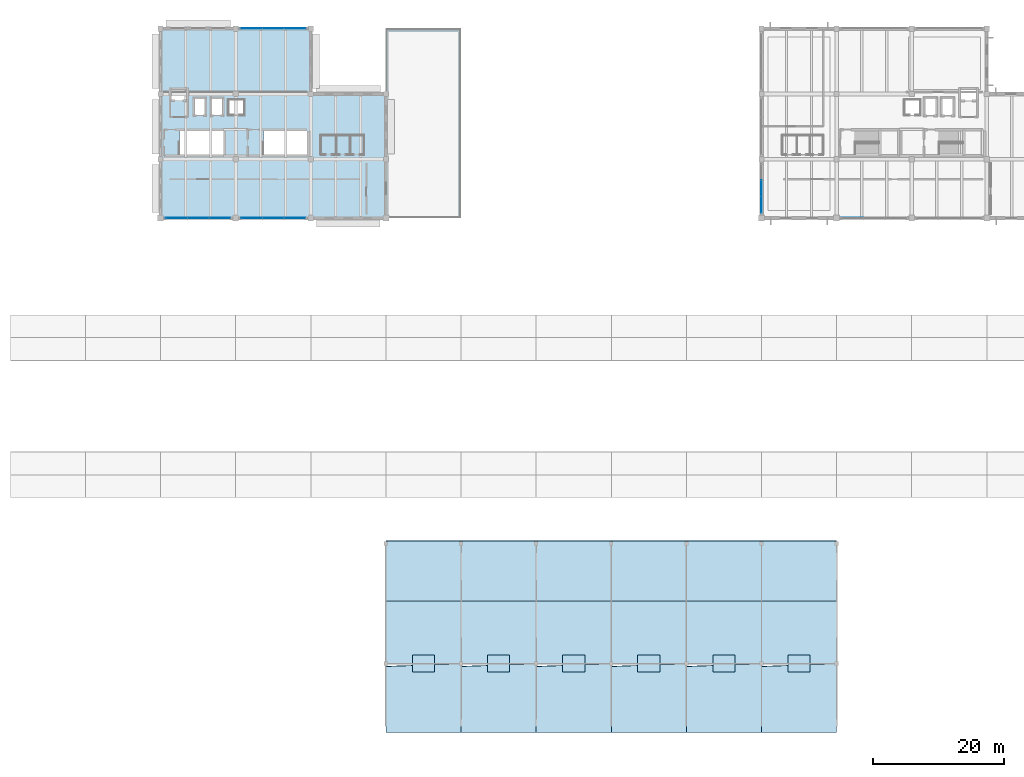
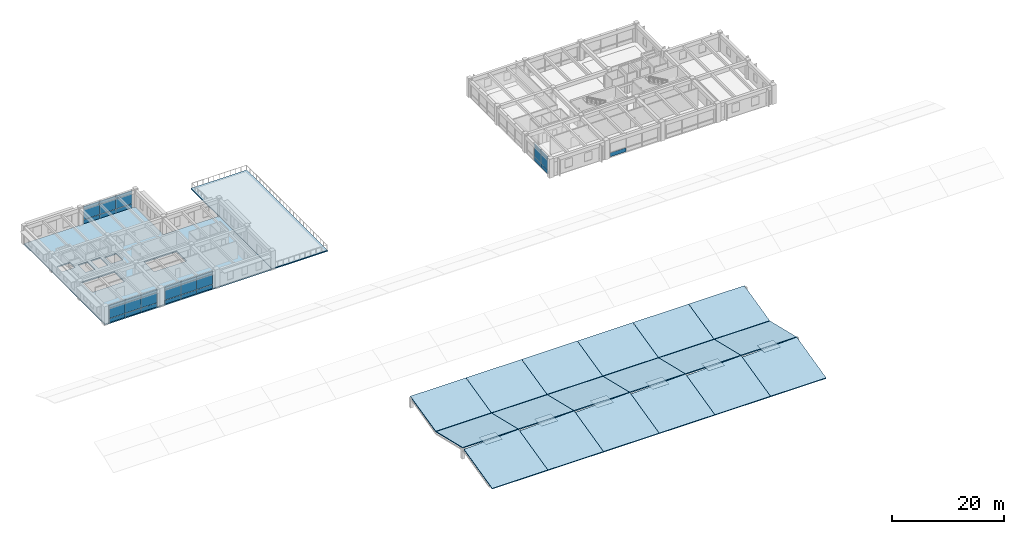
# One storey, part 23 of 33: 40 plates, 20 slabs, 5 elements without a shape of their own.
"""IFC4 building model written with IfcOpenShell, lengths in metres."""

import ifcopenshell
import ifcopenshell.guid

model = None  # the IFC model being written
_history = None  # IfcOwnerHistory: only IFC2X3 demands one
_inside = {}  # id of a spatial element -> (the spatial element, [elements in it])
_under = {}  # id of a project, library or spatial element -> (it, [spatial elements below it])
_declared = {}  # id of a project -> (the project, [libraries it declares])
_typed = {}  # id of a type object -> (the type object, [elements of that type])
_made_of = {}  # id of a material, layer set ... -> (it, [elements and type objects made of it])


def new_model(schema):
    """Start an empty IFC model of exactly this schema.

    Asked for "IFC4X3", IfcOpenShell would pick the latest addendum, in which some entities
    have other attributes; the version numbers below select the first issue.
    IFC2X3 requires an IfcOwnerHistory on every rooted entity: one is made here for all.
    """
    global model, _history
    if schema == "IFC4X3":
        model = ifcopenshell.file(schema_version=(4, 3, 0, 0))
    else:
        model = ifcopenshell.file(schema=schema)
    _inside.clear()
    _under.clear()
    _declared.clear()
    _typed.clear()
    _made_of.clear()
    _history = None
    if model.schema == "IFC2X3":
        org = make("IfcOrganization", Name="unknown")
        user = make(
            "IfcPersonAndOrganization",
            ThePerson=make("IfcPerson", FamilyName="unknown"),
            TheOrganization=org,
        )
        app = make(
            "IfcApplication",
            ApplicationDeveloper=org,
            Version="unknown",
            ApplicationFullName="unknown",
            ApplicationIdentifier="unknown",
        )
        _history = make(
            "IfcOwnerHistory",
            OwningUser=user,
            OwningApplication=app,
            ChangeAction="ADDED",
            CreationDate=0,
        )
    return model


def make(cls, **values):
    """One entity of the class cls with the attributes given. An attribute that is None is left unset."""
    return model.create_entity(
        cls, **{name: value for name, value in values.items() if value is not None}
    )


def rooted(cls, **values):
    """An entity with a GlobalId (a new one), such as an element, a storey or a relation."""
    return make(cls, GlobalId=ifcopenshell.guid.new(), OwnerHistory=_history, **values)


def si_unit(unit_type, name, prefix=None):
    """IfcSIUnit, for example si_unit("LENGTHUNIT", "METRE", prefix="MILLI")."""
    return make("IfcSIUnit", UnitType=unit_type, Prefix=prefix, Name=name)


def assignment(units):
    """IfcUnitAssignment: the units of a project."""
    return None if units is None else make("IfcUnitAssignment", Units=units)


def point(xyz):
    """IfcCartesianPoint."""
    return None if xyz is None else make("IfcCartesianPoint", Coordinates=xyz)


def direction(xyz):
    """IfcDirection."""
    return None if xyz is None else make("IfcDirection", DirectionRatios=xyz)


def frame(location, z_axis=None, x_axis=None):
    """IfcAxis2Placement3D, a coordinate frame: its origin and axes. An axis left out is left unset."""
    return make(
        "IfcAxis2Placement3D",
        Location=point(location),
        Axis=direction(z_axis),
        RefDirection=direction(x_axis),
    )


def frame_2d(location, x_axis=None):
    """IfcAxis2Placement2D, a coordinate frame in the plane: its origin and x axis."""
    return make(
        "IfcAxis2Placement2D", Location=point(location), RefDirection=direction(x_axis)
    )


def origin():
    """The frame at (0, 0, 0) with its axes left unset."""
    return frame((0.0, 0.0, 0.0))


def origin_2d():
    """The frame at (0, 0) in the plane with its x axis left unset."""
    return frame_2d((0.0, 0.0))


def place(relative_to, where):
    """IfcLocalPlacement: puts the frame where relative to a parent placement (None: the world)."""
    return make(
        "IfcLocalPlacement", PlacementRelTo=relative_to, RelativePlacement=where
    )


def context(
    kind, dimensions, precision=None, world=None, true_north=None, identifier=None
):
    """IfcGeometricRepresentationContext, for example the 3D "Model" context."""
    return make(
        "IfcGeometricRepresentationContext",
        ContextIdentifier=identifier,
        ContextType=kind,
        CoordinateSpaceDimension=dimensions,
        Precision=precision,
        WorldCoordinateSystem=world,
        TrueNorth=true_north,
    )


def subcontext(parent, identifier, kind, view, scale=None):
    """IfcGeometricRepresentationSubContext, for example "Body" below "Model"."""
    return make(
        "IfcGeometricRepresentationSubContext",
        ContextIdentifier=identifier,
        ContextType=kind,
        ParentContext=parent,
        TargetScale=scale,
        TargetView=view,
    )


def project(units=None, contexts=None):
    """IfcProject with its units and contexts."""
    return rooted(
        "IfcProject",
        Name="project",
        RepresentationContexts=contexts,
        UnitsInContext=assignment(units),
    )


def spatial(cls, under=None, at=None, **own):
    """A site, building, storey or space (cls), placed at a placement, below another one or the project."""
    s = rooted(cls, ObjectPlacement=at, **own)
    if under is not None:
        _under.setdefault(under.id(), (under, []))[1].append(s)
    return s


def polyline(points):
    """IfcPolyline through the points."""
    return make("IfcPolyline", Points=[point(p) for p in points])


def profile(cls, at=None, kind="AREA", **sizes):
    """A parametric profile (cls). Its sizes go by their IFC names, for example OverallWidth=200.0."""
    return make(cls, ProfileType=kind, Position=at, **sizes)


def rectangle(**sizes):
    """IfcRectangleProfileDef."""
    return profile("IfcRectangleProfileDef", **sizes)


def outline(outer, holes=None, kind="AREA"):
    """IfcArbitraryClosedProfileDef: a profile drawn as a closed curve; with holes, ...WithVoids."""
    if holes is None:
        return make("IfcArbitraryClosedProfileDef", ProfileType=kind, OuterCurve=outer)
    return make(
        "IfcArbitraryProfileDefWithVoids",
        ProfileType=kind,
        OuterCurve=outer,
        InnerCurves=holes,
    )


def extrude(swept, where, along, depth):
    """IfcExtrudedAreaSolid: the profile swept, set in the frame where, extruded along a direction by depth."""
    return make(
        "IfcExtrudedAreaSolid",
        SweptArea=swept,
        Position=where,
        ExtrudedDirection=direction(along),
        Depth=depth,
    )


def shape(context_of_items, identifier, shape_type, items):
    """IfcShapeRepresentation: the items that make up one representation, for example the "Body"."""
    return make(
        "IfcShapeRepresentation",
        ContextOfItems=context_of_items,
        RepresentationIdentifier=identifier,
        RepresentationType=shape_type,
        Items=items,
    )


def material(Name=None, Category=None):
    """IfcMaterial."""
    return make("IfcMaterial", Name=Name, Category=Category)


def layer(
    of_material, thickness, ventilated=None, Name=None, Category=None, Priority=None
):
    """IfcMaterialLayer: one layer of a wall or slab, of a material (None: an air gap)."""
    return make(
        "IfcMaterialLayer",
        Material=of_material,
        LayerThickness=thickness,
        IsVentilated=ventilated,
        Name=Name,
        Category=Category,
        Priority=Priority,
    )


def layer_set(layers, Name=None):
    """IfcMaterialLayerSet."""
    return make("IfcMaterialLayerSet", MaterialLayers=layers, LayerSetName=Name)


def made_of(thing, what):
    """Note that an element or type object is made of a material, layer set ...; save() writes the relation."""
    if what is not None:
        _made_of.setdefault(what.id(), (what, []))[1].append(thing)
    return thing


def type_object(cls, material=None, **own):
    """A type object (cls), such as IfcWallType, which elements share."""
    return made_of(rooted(cls, **own), material)


def element(
    cls,
    number,
    at=None,
    inside=None,
    cuts=None,
    type_object=None,
    material=None,
    context=None,
    identifier="Body",
    shape_type=None,
    held_by="IfcProductDefinitionShape",
    body=None,
    shapes=None,
    **own,
):
    """One element of the class cls, such as IfcWall. Its Tag is "e" and its number.

    at: its placement. inside: the storey or other place that contains it. cuts: it is an
    opening in that element (IfcRelVoidsElement). A single representation is given by context,
    identifier, shape_type and body (its items); several are given by shapes. held_by: the class
    of the entity that holds the representations. save() writes the other relations.
    """
    e = rooted(cls, Tag="e%d" % number, ObjectPlacement=at, **own)
    if body is not None:
        shapes = [shape(context, identifier, shape_type, body)]
    if shapes is not None:
        e.Representation = make(held_by, Representations=shapes)
    if inside is not None:
        _inside.setdefault(inside.id(), (inside, []))[1].append(e)
    if cuts is not None:
        rooted(
            "IfcRelVoidsElement", RelatingBuildingElement=cuts, RelatedOpeningElement=e
        )
    if type_object is not None:
        _typed.setdefault(type_object.id(), (type_object, []))[1].append(e)
    return made_of(e, material)


def aggregate(whole, parts):
    """IfcRelAggregates: a whole, such as a stair, and the parts it consists of."""
    return rooted("IfcRelAggregates", RelatingObject=whole, RelatedObjects=parts)


def save(model, path):
    """Write the relations noted so far, then the file.

    IfcRelAggregates (storeys below a building ...), IfcRelContainedInSpatialStructure (elements
    in a storey), IfcRelDefinesByType, IfcRelAssociatesMaterial and IfcRelDeclares: one each for
    every whole, place, type object, material and project.
    """
    for whole, parts in _under.values():
        aggregate(whole, parts)
    for where, things in _inside.values():
        rooted(
            "IfcRelContainedInSpatialStructure",
            RelatedElements=things,
            RelatingStructure=where,
        )
    for kind, things in _typed.values():
        rooted("IfcRelDefinesByType", RelatedObjects=things, RelatingType=kind)
    for what, things in _made_of.values():
        rooted("IfcRelAssociatesMaterial", RelatedObjects=things, RelatingMaterial=what)
    for by, libraries in _declared.values():
        rooted("IfcRelDeclares", RelatingContext=by, RelatedDefinitions=libraries)
    model.write(path)


model = new_model("IFC4")

# Units and contexts
model_context = context("Model", 3, precision=1e-05, world=origin(), true_north=direction((0.0, 1.0)))
body_context = subcontext(model_context, "Body", "Model", "MODEL_VIEW")
ifc_project = project(units=[si_unit("LENGTHUNIT", "METRE"), si_unit("AREAUNIT", "SQUARE_METRE"), si_unit("VOLUMEUNIT", "CUBIC_METRE"), si_unit("PLANEANGLEUNIT", "RADIAN"), si_unit("MASSUNIT", "GRAM", prefix="KILO")], contexts=[model_context])

# Site, building, storey
site_placement = place(None, origin())
site = spatial("IfcSite", under=ifc_project, at=site_placement, CompositionType="ELEMENT")
building_placement = place(site_placement, origin())
building = spatial("IfcBuilding", under=site, at=building_placement, Name="Ologun Quay Terminus", CompositionType="ELEMENT")
storey_placement = place(building_placement, frame((0.0, 0.0, 18.300048828125)))
storey = spatial("IfcBuildingStorey", under=building, at=storey_placement, Name="L04", CompositionType="ELEMENT", Elevation=18.300048828125)

# Curtain wall, plates
ifc_material_1 = material(Name="Aluminium 6063-T6", Category="aluminium")
curtain_wall_type_1 = type_object("IfcCurtainWallType", Name="Waterfront Pavilion Tea Salon Curtain Wall L04 10600x3800", PredefinedType="USERDEFINED", material=ifc_material_1)
curtain_wall_1_placement = place(storey_placement, origin())
curtain_wall_1 = element("IfcCurtainWall", 1, at=curtain_wall_1_placement, inside=storey, type_object=curtain_wall_type_1, Name="CW-26 Curtain Wall CW-L04-117", ObjectType="UNITISED CURTAIN WALL", PredefinedType="USERDEFINED")
ifc_material_2 = material(Name="Aluminium 6063-T6", Category="aluminium")
ifc_layer_1 = layer(ifc_material_2, 0.06005859375)
ifc_layer_set_1 = layer_set([ifc_layer_1], Name="Aluminium 6063-T6")
plate_type_1 = type_object("IfcPlateType", Name="Anodised Bronze Spandrel Panel 60", PredefinedType="CURTAIN_PANEL", material=ifc_layer_set_1)
plate_1_placement = place(storey_placement, frame((36.929931640625, 114.800048828125, 0.02978515625), z_axis=(0.0, 0.0, 1.0), x_axis=(1.0, 0.0, 0.0)))
plate_1 = element("IfcPlate", 2, at=plate_1_placement, type_object=plate_type_1, Name="CW-L04-117 Panel B1-1", PredefinedType="CURTAIN_PANEL", context=body_context, shape_type="SweptSolid", body=[
    extrude(rectangle(XDim=3.320068359375, YDim=0.06005859375, at=origin_2d()), origin(), (0.0, 0.0, 1.0), 0.840087890625),
])
plate_2_placement = place(storey_placement, frame((40.25, 114.800048828125, 0.02978515625), z_axis=(0.0, 0.0, 1.0), x_axis=(1.0, 0.0, 0.0)))
plate_2 = element("IfcPlate", 3, at=plate_2_placement, type_object=plate_type_1, Name="CW-L04-117 Panel B2-1", PredefinedType="CURTAIN_PANEL", context=body_context, shape_type="SweptSolid", body=[
    extrude(rectangle(XDim=3.320068359375, YDim=0.06005859375, at=origin_2d()), origin(), (0.0, 0.0, 1.0), 0.840087890625),
])
plate_3_placement = place(storey_placement, frame((43.570068359375, 114.800048828125, 0.02978515625), z_axis=(0.0, 0.0, 1.0), x_axis=(1.0, 0.0, 0.0)))
plate_3 = element("IfcPlate", 4, at=plate_3_placement, type_object=plate_type_1, Name="CW-L04-117 Panel B3-1", PredefinedType="CURTAIN_PANEL", context=body_context, shape_type="SweptSolid", body=[
    extrude(rectangle(XDim=3.320068359375, YDim=0.06005859375, at=origin_2d()), origin(), (0.0, 0.0, 1.0), 0.840087890625),
])

# Slabs
ifc_material_3 = material(Name="Concrete C40/50", Category="concrete")
ifc_layer_2 = layer(ifc_material_3, 0.2099609375)
ifc_layer_set_2 = layer_set([ifc_layer_2], Name="Concrete C40/50")
slab_type_1 = type_object("IfcSlabType", Name="Folded Gable Concrete Roof Slab 210", PredefinedType="ROOF", material=ifc_layer_set_2)
slab_1_placement = place(storey_placement, frame((57.5, 7.0400390625, -0.23046875), z_axis=(7.666757e-06, -0.233026631197, 0.972470353838), x_axis=(0.999999999971, 1.786559e-06, -7.455694e-06)))
element("IfcSlab", 5, at=slab_1_placement, inside=storey, type_object=slab_type_1, Name="SL-FGR Ticket Hall Folded Roof S1-1", PredefinedType="ROOF", context=body_context, shape_type="SweptSolid", body=[
    extrude(outline(polyline([(0.0, 0.0), (11.49999999966202, -2.4352197233561135e-21), (11.50000000033798, 10.817809451977393), (-6.759603441493667e-10, 10.406377481904256), (0.0, 0.0)])), origin(), (0.0, 0.0, -1.0), 0.2099609375),
])
slab_2_placement = place(storey_placement, frame((57.5, 17.639892578125, 2.290283203125), z_axis=(0.0, 0.23298243261, 0.972480943821), x_axis=(1.0, 0.0, 0.0)))
element("IfcSlab", 6, at=slab_2_placement, inside=storey, type_object=slab_type_1, Name="SL-FGR Ticket Hall Folded Roof S2-1", PredefinedType="ROOF", context=body_context, shape_type="SweptSolid", body=[
    extrude(outline(polyline([(0.0, 0.0), (11.5, 0.0), (11.5, 9.789414992383199), (0.0, 9.789414992383199), (0.0, 0.0)])), origin(), (0.0, 0.0, -1.0), 0.2099609375),
])
slab_3_placement = place(storey_placement, frame((57.5, 27.239990234375, 0.00927734375), z_axis=(0.0, -0.227565810012, 0.973762703185), x_axis=(1.0, 0.0, 0.0)))
element("IfcSlab", 7, at=slab_3_placement, inside=storey, type_object=slab_type_1, Name="SL-FGR Ticket Hall Clerestory Roof S3-1", PredefinedType="ROOF", context=body_context, shape_type="SweptSolid", body=[
    extrude(outline(polyline([(0.0, 0.0), (11.5, 0.0), (11.5, 9.36585182167299), (0.0, 9.36585182167299), (0.0, 0.0)])), origin(), (0.0, 0.0, -1.0), 0.2099609375),
])
slab_4_placement = place(storey_placement, frame((69.0, 7.0400390625, -0.23046875), z_axis=(7.666757e-06, -0.233026631197, 0.972470353838), x_axis=(0.999999999971, 1.786559e-06, -7.455694e-06)))
element("IfcSlab", 8, at=slab_4_placement, inside=storey, type_object=slab_type_1, Name="SL-FGR Ticket Hall Folded Roof S1-2", PredefinedType="ROOF", context=body_context, shape_type="SweptSolid", body=[
    extrude(outline(polyline([(0.0, 0.0), (11.49999999966202, -2.4352197233561135e-21), (11.50000000033798, 10.817809451977393), (-6.759603441493667e-10, 10.406377481904256), (0.0, 0.0)])), origin(), (0.0, 0.0, -1.0), 0.2099609375),
])
slab_5_placement = place(storey_placement, frame((69.0, 17.639892578125, 2.290283203125), z_axis=(0.0, 0.23298243261, 0.972480943821), x_axis=(1.0, 0.0, 0.0)))
element("IfcSlab", 9, at=slab_5_placement, inside=storey, type_object=slab_type_1, Name="SL-FGR Ticket Hall Folded Roof S2-2", PredefinedType="ROOF", context=body_context, shape_type="SweptSolid", body=[
    extrude(outline(polyline([(0.0, 0.0), (11.5, 0.0), (11.5, 9.789414992383199), (0.0, 9.789414992383199), (0.0, 0.0)])), origin(), (0.0, 0.0, -1.0), 0.2099609375),
])
slab_6_placement = place(storey_placement, frame((69.0, 27.239990234375, 0.00927734375), z_axis=(0.0, -0.227565810012, 0.973762703185), x_axis=(1.0, 0.0, 0.0)))
element("IfcSlab", 10, at=slab_6_placement, inside=storey, type_object=slab_type_1, Name="SL-FGR Ticket Hall Clerestory Roof S3-2", PredefinedType="ROOF", context=body_context, shape_type="SweptSolid", body=[
    extrude(outline(polyline([(0.0, 0.0), (11.5, 0.0), (11.5, 9.36585182167299), (0.0, 9.36585182167299), (0.0, 0.0)])), origin(), (0.0, 0.0, -1.0), 0.2099609375),
])
slab_7_placement = place(storey_placement, frame((80.5, 7.0400390625, -0.23046875), z_axis=(7.666757e-06, -0.233026631197, 0.972470353838), x_axis=(0.999999999971, 1.786559e-06, -7.455694e-06)))
element("IfcSlab", 11, at=slab_7_placement, inside=storey, type_object=slab_type_1, Name="SL-FGR Ticket Hall Folded Roof S1-3", PredefinedType="ROOF", context=body_context, shape_type="SweptSolid", body=[
    extrude(outline(polyline([(0.0, 0.0), (11.49999999966202, -2.4352197233561135e-21), (11.50000000033798, 10.817809451977393), (-6.759603441493667e-10, 10.406377481904256), (0.0, 0.0)])), origin(), (0.0, 0.0, -1.0), 0.2099609375),
])
slab_8_placement = place(storey_placement, frame((80.5, 17.639892578125, 2.290283203125), z_axis=(0.0, 0.23298243261, 0.972480943821), x_axis=(1.0, 0.0, 0.0)))
element("IfcSlab", 12, at=slab_8_placement, inside=storey, type_object=slab_type_1, Name="SL-FGR Ticket Hall Folded Roof S2-3", PredefinedType="ROOF", context=body_context, shape_type="SweptSolid", body=[
    extrude(outline(polyline([(0.0, 0.0), (11.5, 0.0), (11.5, 9.789414992383199), (0.0, 9.789414992383199), (0.0, 0.0)])), origin(), (0.0, 0.0, -1.0), 0.2099609375),
])
slab_9_placement = place(storey_placement, frame((80.5, 27.239990234375, 0.00927734375), z_axis=(0.0, -0.227565810012, 0.973762703185), x_axis=(1.0, 0.0, 0.0)))
element("IfcSlab", 13, at=slab_9_placement, inside=storey, type_object=slab_type_1, Name="SL-FGR Ticket Hall Clerestory Roof S3-3", PredefinedType="ROOF", context=body_context, shape_type="SweptSolid", body=[
    extrude(outline(polyline([(0.0, 0.0), (11.5, 0.0), (11.5, 9.36585182167299), (0.0, 9.36585182167299), (0.0, 0.0)])), origin(), (0.0, 0.0, -1.0), 0.2099609375),
])
slab_10_placement = place(storey_placement, frame((92.0, 7.0400390625, -0.23046875), z_axis=(7.666757e-06, -0.233026631197, 0.972470353838), x_axis=(0.999999999971, 1.786559e-06, -7.455694e-06)))
element("IfcSlab", 14, at=slab_10_placement, inside=storey, type_object=slab_type_1, Name="SL-FGR Ticket Hall Folded Roof S1-4", PredefinedType="ROOF", context=body_context, shape_type="SweptSolid", body=[
    extrude(outline(polyline([(0.0, 0.0), (11.49999999966202, -2.4352197233561135e-21), (11.50000000033798, 10.817809451977393), (-6.759603441493667e-10, 10.406377481904256), (0.0, 0.0)])), origin(), (0.0, 0.0, -1.0), 0.2099609375),
])
slab_11_placement = place(storey_placement, frame((92.0, 17.639892578125, 2.290283203125), z_axis=(0.0, 0.23298243261, 0.972480943821), x_axis=(1.0, 0.0, 0.0)))
element("IfcSlab", 15, at=slab_11_placement, inside=storey, type_object=slab_type_1, Name="SL-FGR Ticket Hall Folded Roof S2-4", PredefinedType="ROOF", context=body_context, shape_type="SweptSolid", body=[
    extrude(outline(polyline([(0.0, 0.0), (11.5, 0.0), (11.5, 9.789414992383199), (0.0, 9.789414992383199), (0.0, 0.0)])), origin(), (0.0, 0.0, -1.0), 0.2099609375),
])
slab_12_placement = place(storey_placement, frame((92.0, 27.239990234375, 0.00927734375), z_axis=(0.0, -0.227565810012, 0.973762703185), x_axis=(1.0, 0.0, 0.0)))
element("IfcSlab", 16, at=slab_12_placement, inside=storey, type_object=slab_type_1, Name="SL-FGR Ticket Hall Clerestory Roof S3-4", PredefinedType="ROOF", context=body_context, shape_type="SweptSolid", body=[
    extrude(outline(polyline([(0.0, 0.0), (11.5, 0.0), (11.5, 9.36585182167299), (0.0, 9.36585182167299), (0.0, 0.0)])), origin(), (0.0, 0.0, -1.0), 0.2099609375),
])
slab_13_placement = place(storey_placement, frame((103.5, 7.0400390625, -0.23046875), z_axis=(7.666757e-06, -0.233026631197, 0.972470353838), x_axis=(0.999999999971, 1.786559e-06, -7.455694e-06)))
element("IfcSlab", 17, at=slab_13_placement, inside=storey, type_object=slab_type_1, Name="SL-FGR Ticket Hall Folded Roof S1-5", PredefinedType="ROOF", context=body_context, shape_type="SweptSolid", body=[
    extrude(outline(polyline([(0.0, 0.0), (11.49999999966202, -2.4352197233561135e-21), (11.50000000033798, 10.817809451977393), (-6.759603441493667e-10, 10.406377481904256), (0.0, 0.0)])), origin(), (0.0, 0.0, -1.0), 0.2099609375),
])
slab_14_placement = place(storey_placement, frame((103.5, 17.639892578125, 2.290283203125), z_axis=(0.0, 0.23298243261, 0.972480943821), x_axis=(1.0, 0.0, 0.0)))
element("IfcSlab", 18, at=slab_14_placement, inside=storey, type_object=slab_type_1, Name="SL-FGR Ticket Hall Folded Roof S2-5", PredefinedType="ROOF", context=body_context, shape_type="SweptSolid", body=[
    extrude(outline(polyline([(0.0, 0.0), (11.5, 0.0), (11.5, 9.789414992383199), (0.0, 9.789414992383199), (0.0, 0.0)])), origin(), (0.0, 0.0, -1.0), 0.2099609375),
])
slab_15_placement = place(storey_placement, frame((103.5, 27.239990234375, 0.00927734375), z_axis=(0.0, -0.227565810012, 0.973762703185), x_axis=(1.0, 0.0, 0.0)))
element("IfcSlab", 19, at=slab_15_placement, inside=storey, type_object=slab_type_1, Name="SL-FGR Ticket Hall Clerestory Roof S3-5", PredefinedType="ROOF", context=body_context, shape_type="SweptSolid", body=[
    extrude(outline(polyline([(0.0, 0.0), (11.5, 0.0), (11.5, 9.36585182167299), (0.0, 9.36585182167299), (0.0, 0.0)])), origin(), (0.0, 0.0, -1.0), 0.2099609375),
])
slab_16_placement = place(storey_placement, frame((115.0, 7.0400390625, -0.23046875), z_axis=(7.666757e-06, -0.233026631197, 0.972470353838), x_axis=(0.999999999971, 1.786559e-06, -7.455694e-06)))
element("IfcSlab", 20, at=slab_16_placement, inside=storey, type_object=slab_type_1, Name="SL-FGR Ticket Hall Folded Roof S1-6", PredefinedType="ROOF", context=body_context, shape_type="SweptSolid", body=[
    extrude(outline(polyline([(0.0, 0.0), (11.49999999966202, -2.4352197233561135e-21), (11.50000000033798, 10.817809451977393), (-6.759603441493667e-10, 10.406377481904256), (0.0, 0.0)])), origin(), (0.0, 0.0, -1.0), 0.2099609375),
])
slab_17_placement = place(storey_placement, frame((115.0, 17.639892578125, 2.290283203125), z_axis=(0.0, 0.23298243261, 0.972480943821), x_axis=(1.0, 0.0, 0.0)))
element("IfcSlab", 21, at=slab_17_placement, inside=storey, type_object=slab_type_1, Name="SL-FGR Ticket Hall Folded Roof S2-6", PredefinedType="ROOF", context=body_context, shape_type="SweptSolid", body=[
    extrude(outline(polyline([(0.0, 0.0), (11.5, 0.0), (11.5, 9.789414992383199), (0.0, 9.789414992383199), (0.0, 0.0)])), origin(), (0.0, 0.0, -1.0), 0.2099609375),
])
slab_18_placement = place(storey_placement, frame((115.0, 27.239990234375, 0.00927734375), z_axis=(0.0, -0.227565810012, 0.973762703185), x_axis=(1.0, 0.0, 0.0)))
element("IfcSlab", 22, at=slab_18_placement, inside=storey, type_object=slab_type_1, Name="SL-FGR Ticket Hall Clerestory Roof S3-6", PredefinedType="ROOF", context=body_context, shape_type="SweptSolid", body=[
    extrude(outline(polyline([(0.0, 0.0), (11.5, 0.0), (11.5, 9.36585182167299), (0.0, 9.36585182167299), (0.0, 0.0)])), origin(), (0.0, 0.0, -1.0), 0.2099609375),
])

# Plate
ifc_material_4 = material(Name="Glass", Category="glass")
ifc_layer_3 = layer(ifc_material_4, 0.035888671875)
ifc_layer_set_3 = layer_set([ifc_layer_3], Name="Glass")
plate_type_2 = type_object("IfcPlateType", Name="High-Selectivity Harbour Glazed Panel 36", PredefinedType="CURTAIN_PANEL", material=ifc_layer_set_3)
plate_4_placement = place(storey_placement, frame((36.929931640625, 114.800048828125, 0.929931640625), z_axis=(0.0, 0.0, 1.0), x_axis=(1.0, 0.0, 0.0)))
plate_4 = element("IfcPlate", 23, at=plate_4_placement, type_object=plate_type_2, Name="CW-L04-117 Panel B1-2", PredefinedType="CURTAIN_PANEL", context=body_context, shape_type="SweptSolid", body=[
    extrude(rectangle(XDim=3.320068359375, YDim=0.035888671875, at=origin_2d()), origin(), (0.0, 0.0, 1.0), 2.22998046875),
])

plate_5_placement = place(storey_placement, frame((36.929931640625, 114.800048828125, 3.22021484375), z_axis=(0.0, 0.0, 1.0), x_axis=(1.0, 0.0, 0.0)))
plate_5 = element("IfcPlate", 24, at=plate_5_placement, type_object=plate_type_2, Name="CW-L04-117 Panel B1-3", PredefinedType="CURTAIN_PANEL", context=body_context, shape_type="SweptSolid", body=[
    extrude(rectangle(XDim=3.320068359375, YDim=0.035888671875, at=origin_2d()), origin(), (0.0, 0.0, 1.0), 0.639892578125),
])

plate_6_placement = place(storey_placement, frame((40.25, 114.800048828125, 0.929931640625), z_axis=(0.0, 0.0, 1.0), x_axis=(1.0, 0.0, 0.0)))
plate_6 = element("IfcPlate", 25, at=plate_6_placement, type_object=plate_type_2, Name="CW-L04-117 Panel B2-2", PredefinedType="CURTAIN_PANEL", context=body_context, shape_type="SweptSolid", body=[
    extrude(rectangle(XDim=3.320068359375, YDim=0.035888671875, at=origin_2d()), origin(), (0.0, 0.0, 1.0), 2.22998046875),
])

plate_7_placement = place(storey_placement, frame((40.25, 114.800048828125, 3.22021484375), z_axis=(0.0, 0.0, 1.0), x_axis=(1.0, 0.0, 0.0)))
plate_7 = element("IfcPlate", 26, at=plate_7_placement, type_object=plate_type_2, Name="CW-L04-117 Panel B2-3", PredefinedType="CURTAIN_PANEL", context=body_context, shape_type="SweptSolid", body=[
    extrude(rectangle(XDim=3.320068359375, YDim=0.035888671875, at=origin_2d()), origin(), (0.0, 0.0, 1.0), 0.639892578125),
])

plate_8_placement = place(storey_placement, frame((43.570068359375, 114.800048828125, 0.929931640625), z_axis=(0.0, 0.0, 1.0), x_axis=(1.0, 0.0, 0.0)))
plate_8 = element("IfcPlate", 27, at=plate_8_placement, type_object=plate_type_2, Name="CW-L04-117 Panel B3-2", PredefinedType="CURTAIN_PANEL", context=body_context, shape_type="SweptSolid", body=[
    extrude(rectangle(XDim=3.320068359375, YDim=0.035888671875, at=origin_2d()), origin(), (0.0, 0.0, 1.0), 2.22998046875),
])

plate_9_placement = place(storey_placement, frame((43.570068359375, 114.800048828125, 3.22021484375), z_axis=(0.0, 0.0, 1.0), x_axis=(1.0, 0.0, 0.0)))
plate_9 = element("IfcPlate", 28, at=plate_9_placement, type_object=plate_type_2, Name="CW-L04-117 Panel B3-3", PredefinedType="CURTAIN_PANEL", context=body_context, shape_type="SweptSolid", body=[
    extrude(rectangle(XDim=3.320068359375, YDim=0.035888671875, at=origin_2d()), origin(), (0.0, 0.0, 1.0), 0.639892578125),
])

aggregate(curtain_wall_1, [plate_1, plate_4, plate_5, plate_2, plate_6, plate_7, plate_3, plate_8, plate_9])

# Curtain wall, plates
ifc_material_5 = material(Name="Aluminium 6063-T6", Category="aluminium")
curtain_wall_type_2 = type_object("IfcCurtainWallType", Name="Rain-Garden East Courtyard Curtain Wall L04 9200x3800", PredefinedType="USERDEFINED", material=ifc_material_5)
curtain_wall_2_placement = place(storey_placement, origin())
curtain_wall_2 = element("IfcCurtainWall", 29, at=curtain_wall_2_placement, inside=storey, type_object=curtain_wall_type_2, Name="CW-21 Curtain Wall CW-L04-149", ObjectType="UNITISED CURTAIN WALL", PredefinedType="USERDEFINED")
plate_10_placement = place(storey_placement, frame((115.0, 87.85498046875, 0.929931640625), z_axis=(0.0, 0.0, 1.0), x_axis=(0.0, 1.0, 0.0)))
plate_10 = element("IfcPlate", 30, at=plate_10_placement, type_object=plate_type_2, Name="CW-L04-149 Panel B1-2", PredefinedType="CURTAIN_PANEL", context=body_context, shape_type="SweptSolid", body=[
    extrude(rectangle(XDim=2.469970703125, YDim=0.035888671875, at=origin_2d()), origin(), (0.0, 0.0, 1.0), 2.22998046875),
])
plate_11_placement = place(storey_placement, frame((115.0, 87.85498046875, 3.22021484375), z_axis=(0.0, 0.0, 1.0), x_axis=(0.0, 1.0, 0.0)))
plate_11 = element("IfcPlate", 31, at=plate_11_placement, type_object=plate_type_2, Name="CW-L04-149 Panel B1-3", PredefinedType="CURTAIN_PANEL", context=body_context, shape_type="SweptSolid", body=[
    extrude(rectangle(XDim=2.469970703125, YDim=0.035888671875, at=origin_2d()), origin(), (0.0, 0.0, 1.0), 0.639892578125),
])
plate_12_placement = place(storey_placement, frame((115.0, 90.324951171875, 0.929931640625), z_axis=(0.0, 0.0, 1.0), x_axis=(0.0, 1.0, 0.0)))
plate_12 = element("IfcPlate", 32, at=plate_12_placement, type_object=plate_type_2, Name="CW-L04-149 Panel B2-2", PredefinedType="CURTAIN_PANEL", context=body_context, shape_type="SweptSolid", body=[
    extrude(rectangle(XDim=2.469970703125, YDim=0.035888671875, at=origin_2d()), origin(), (0.0, 0.0, 1.0), 2.22998046875),
])
plate_13_placement = place(storey_placement, frame((115.0, 90.324951171875, 3.22021484375), z_axis=(0.0, 0.0, 1.0), x_axis=(0.0, 1.0, 0.0)))
plate_13 = element("IfcPlate", 33, at=plate_13_placement, type_object=plate_type_2, Name="CW-L04-149 Panel B2-3", PredefinedType="CURTAIN_PANEL", context=body_context, shape_type="SweptSolid", body=[
    extrude(rectangle(XDim=2.469970703125, YDim=0.035888671875, at=origin_2d()), origin(), (0.0, 0.0, 1.0), 0.639892578125),
])

curtain_wall_3_placement = place(storey_placement, origin())
curtain_wall_3 = element("IfcCurtainWall", 34, at=curtain_wall_3_placement, inside=storey, type_object=curtain_wall_type_1, Name="CW-26 Curtain Wall CW-L04-115", ObjectType="UNITISED CURTAIN WALL", PredefinedType="USERDEFINED")
ifc_material_6 = material(Name="Aluminium 6063-T6", Category="aluminium")
ifc_layer_4 = layer(ifc_material_6, 0.050048828125)
ifc_layer_set_4 = layer_set([ifc_layer_4], Name="Aluminium 6063-T6")
plate_type_3 = type_object("IfcPlateType", Name="Insulated Aluminium Shadow-Box Spandrel 50", PredefinedType="CURTAIN_PANEL", material=ifc_layer_set_4)
plate_14_placement = place(storey_placement, frame((25.46337890625, 85.800048828125, 0.02978515625), z_axis=(0.0, 0.0, 1.0), x_axis=(1.0, 0.0, 0.0)))
plate_14 = element("IfcPlate", 35, at=plate_14_placement, type_object=plate_type_3, Name="CW-L04-115 Panel B1-1", PredefinedType="CURTAIN_PANEL", context=body_context, shape_type="SweptSolid", body=[
    extrude(rectangle(XDim=3.28662109375, YDim=0.050048828125, at=origin_2d()), origin(), (0.0, 0.0, 1.0), 0.840087890625),
])
plate_15_placement = place(storey_placement, frame((28.75, 85.800048828125, 0.02978515625), z_axis=(0.0, 0.0, 1.0), x_axis=(1.0, 0.0, 0.0)))
plate_15 = element("IfcPlate", 36, at=plate_15_placement, type_object=plate_type_3, Name="CW-L04-115 Panel B2-1", PredefinedType="CURTAIN_PANEL", context=body_context, shape_type="SweptSolid", body=[
    extrude(rectangle(XDim=3.28662109375, YDim=0.050048828125, at=origin_2d()), origin(), (0.0, 0.0, 1.0), 0.840087890625),
])
plate_16_placement = place(storey_placement, frame((32.03662109375, 85.800048828125, 0.02978515625), z_axis=(0.0, 0.0, 1.0), x_axis=(1.0, 0.0, 0.0)))
plate_16 = element("IfcPlate", 37, at=plate_16_placement, type_object=plate_type_3, Name="CW-L04-115 Panel B3-1", PredefinedType="CURTAIN_PANEL", context=body_context, shape_type="SweptSolid", body=[
    extrude(rectangle(XDim=3.28662109375, YDim=0.050048828125, at=origin_2d()), origin(), (0.0, 0.0, 1.0), 0.840087890625),
])

curtain_wall_4_placement = place(storey_placement, origin())
curtain_wall_4 = element("IfcCurtainWall", 38, at=curtain_wall_4_placement, inside=storey, type_object=curtain_wall_type_1, Name="CW-26 Curtain Wall CW-L04-116", ObjectType="UNITISED CURTAIN WALL", PredefinedType="USERDEFINED")
plate_17_placement = place(storey_placement, frame((36.96337890625, 85.800048828125, 0.02978515625), z_axis=(0.0, 0.0, 1.0), x_axis=(1.0, 0.0, 0.0)))
plate_17 = element("IfcPlate", 39, at=plate_17_placement, type_object=plate_type_3, Name="CW-L04-116 Panel B1-1", PredefinedType="CURTAIN_PANEL", context=body_context, shape_type="SweptSolid", body=[
    extrude(rectangle(XDim=3.28662109375, YDim=0.050048828125, at=origin_2d()), origin(), (0.0, 0.0, 1.0), 0.840087890625),
])
plate_18_placement = place(storey_placement, frame((40.25, 85.800048828125, 0.02978515625), z_axis=(0.0, 0.0, 1.0), x_axis=(1.0, 0.0, 0.0)))
plate_18 = element("IfcPlate", 40, at=plate_18_placement, type_object=plate_type_3, Name="CW-L04-116 Panel B2-1", PredefinedType="CURTAIN_PANEL", context=body_context, shape_type="SweptSolid", body=[
    extrude(rectangle(XDim=3.28662109375, YDim=0.050048828125, at=origin_2d()), origin(), (0.0, 0.0, 1.0), 0.840087890625),
])
plate_19_placement = place(storey_placement, frame((43.53662109375, 85.800048828125, 0.02978515625), z_axis=(0.0, 0.0, 1.0), x_axis=(1.0, 0.0, 0.0)))
plate_19 = element("IfcPlate", 41, at=plate_19_placement, type_object=plate_type_3, Name="CW-L04-116 Panel B3-1", PredefinedType="CURTAIN_PANEL", context=body_context, shape_type="SweptSolid", body=[
    extrude(rectangle(XDim=3.28662109375, YDim=0.050048828125, at=origin_2d()), origin(), (0.0, 0.0, 1.0), 0.840087890625),
])

# Curtain wall, plate
ifc_material_7 = material(Name="Aluminium 6063-T6", Category="aluminium")
curtain_wall_type_3 = type_object("IfcCurtainWallType", Name="Operations Wing Harbour Curtain Wall L04 10400x3800", PredefinedType="USERDEFINED", material=ifc_material_7)
curtain_wall_5_placement = place(storey_placement, origin())
curtain_wall_5 = element("IfcCurtainWall", 42, at=curtain_wall_5_placement, inside=storey, type_object=curtain_wall_type_3, Name="CW-27 Curtain Wall CW-L04-145", ObjectType="UNITISED CURTAIN WALL", PredefinedType="USERDEFINED")
plate_20_placement = place(storey_placement, frame((128.96337890625, 85.800048828125, 0.02978515625), z_axis=(0.0, 0.0, 1.0), x_axis=(1.0, 0.0, 0.0)))
plate_20 = element("IfcPlate", 43, at=plate_20_placement, type_object=plate_type_3, Name="CW-L04-145 Panel B1-1", PredefinedType="CURTAIN_PANEL", context=body_context, shape_type="SweptSolid", body=[
    extrude(rectangle(XDim=3.28662109375, YDim=0.050048828125, at=origin_2d()), origin(), (0.0, 0.0, 1.0), 0.840087890625),
])
aggregate(curtain_wall_5, [plate_20])

# Plate
plate_21_placement = place(storey_placement, frame((115.0, 87.85498046875, 0.02978515625), z_axis=(0.0, 0.0, 1.0), x_axis=(0.0, 1.0, 0.0)))
plate_21 = element("IfcPlate", 44, at=plate_21_placement, type_object=plate_type_3, Name="CW-L04-149 Panel B1-1", PredefinedType="CURTAIN_PANEL", context=body_context, shape_type="SweptSolid", body=[
    extrude(rectangle(XDim=2.469970703125, YDim=0.050048828125, at=origin_2d()), origin(), (0.0, 0.0, 1.0), 0.840087890625),
])

plate_22_placement = place(storey_placement, frame((115.0, 90.324951171875, 0.02978515625), z_axis=(0.0, 0.0, 1.0), x_axis=(0.0, 1.0, 0.0)))
plate_22 = element("IfcPlate", 45, at=plate_22_placement, type_object=plate_type_3, Name="CW-L04-149 Panel B2-1", PredefinedType="CURTAIN_PANEL", context=body_context, shape_type="SweptSolid", body=[
    extrude(rectangle(XDim=2.469970703125, YDim=0.050048828125, at=origin_2d()), origin(), (0.0, 0.0, 1.0), 0.840087890625),
])

aggregate(curtain_wall_2, [plate_21, plate_10, plate_11, plate_22, plate_12, plate_13])

# Slab
ifc_material_8 = material(Name="Concrete C40/50", Category="concrete")
ifc_layer_5 = layer(ifc_material_8, 0.25)
ifc_layer_set_5 = layer_set([ifc_layer_5], Name="Concrete C40/50")
slab_type_2 = type_object("IfcSlabType", Name="North Wing Floor Slab 250", PredefinedType="FLOOR", material=ifc_layer_set_5)
slab_19_placement = place(storey_placement, frame((0.0, 0.0, -0.25)))
element("IfcSlab", 46, at=slab_19_placement, inside=storey, type_object=slab_type_2, Name="SL-TWR Wing Floor Slab L04 WWNG", PredefinedType="FLOOR", context=body_context, shape_type="SweptSolid", body=[
    extrude(outline(polyline([(23.0, 85.800048828125), (57.5, 85.800048828125), (57.5, 104.800048828125), (46.0, 104.800048828125), (46.0, 114.800048828125), (23.0, 114.800048828125), (23.0, 85.800048828125)]), holes=[polyline([(24.449951171875, 103.780029296875), (24.449951171875, 105.6201171875), (27.14990234375, 105.6201171875), (27.14990234375, 103.780029296875), (24.449951171875, 103.780029296875)]), polyline([(28.050048828125, 101.5), (28.050048828125, 104.199951171875), (29.949951171875, 104.199951171875), (29.949951171875, 101.5), (28.050048828125, 101.5)]), polyline([(30.699951171875, 101.5), (30.699951171875, 104.199951171875), (32.60009765625, 104.199951171875), (32.60009765625, 101.5), (30.699951171875, 101.5)]), polyline([(25.8798828125, 95.550048828125), (25.8798828125, 99.14990234375), (32.64990234375, 99.14990234375), (32.64990234375, 95.550048828125), (25.8798828125, 95.550048828125)]), polyline([(38.72998046875, 95.550048828125), (38.72998046875, 99.14990234375), (45.449951171875, 99.14990234375), (45.449951171875, 95.550048828125), (38.72998046875, 95.550048828125)]), polyline([(33.39990234375, 101.60009765625), (33.39990234375, 103.89990234375), (35.800048828125, 103.89990234375), (35.800048828125, 101.60009765625), (33.39990234375, 101.60009765625)])]), origin(), (0.0, 0.0, 1.0), 0.25),
])

# Plates
ifc_material_9 = material(Name="Glass", Category="glass")
ifc_layer_6 = layer(ifc_material_9, 0.028076171875)
ifc_layer_set_6 = layer_set([ifc_layer_6], Name="Glass")
plate_type_4 = type_object("IfcPlateType", Name="Pavilion Clerestory Skylight Glass Panel 28", PredefinedType="USERDEFINED", material=ifc_layer_set_6)
for number, where, z_axis, x_axis, name in (
    (47, (63.25, 17.60009765625, 2.24609375), (0.0, 0.0, 1.0), (1.0, 0.0, 0.0), "SKG-02 Pavilion Ridge Skylight 1"),
    (48, (74.75, 17.60009765625, 2.24609375), (0.0, 0.0, 1.0), (1.0, 0.0, 0.0), "SKG-02 Pavilion Ridge Skylight 2"),
    (49, (86.25, 17.60009765625, 2.24609375), (0.0, 0.0, 1.0), (1.0, 0.0, 0.0), "SKG-02 Pavilion Ridge Skylight 3"),
    (50, (97.75, 17.60009765625, 2.24609375), (0.0, 0.0, 1.0), (1.0, 0.0, 0.0), "SKG-02 Pavilion Ridge Skylight 4"),
    (51, (109.25, 17.60009765625, 2.24609375), (0.0, 0.0, 1.0), (1.0, 0.0, 0.0), "SKG-02 Pavilion Ridge Skylight 5"),
    (52, (120.75, 17.60009765625, 2.24609375), (0.0, 0.0, 1.0), (1.0, 0.0, 0.0), "SKG-02 Pavilion Ridge Skylight 6"),
):
    element("IfcPlate", number, at=place(storey_placement, frame(where, z_axis=z_axis, x_axis=x_axis)), inside=storey, type_object=plate_type_4, Name=name, ObjectType="SKYLIGHT GLAZING", PredefinedType="USERDEFINED", context=body_context, shape_type="SweptSolid", body=[
        extrude(rectangle(XDim=3.39990234375, YDim=2.60009765625, at=origin_2d()), origin(), (0.0, 0.0, 1.0), 0.028076171875),
    ])

# Plate
ifc_material_10 = material(Name="Glass", Category="glass")
ifc_layer_7 = layer(ifc_material_10, 0.028076171875)
ifc_layer_set_7 = layer_set([ifc_layer_7], Name="Glass")
plate_type_5 = type_object("IfcPlateType", Name="Solar-Control Double Glazed Panel 28", PredefinedType="CURTAIN_PANEL", material=ifc_layer_set_7)
plate_23_placement = place(storey_placement, frame((25.46337890625, 85.800048828125, 0.929931640625), z_axis=(0.0, 0.0, 1.0), x_axis=(1.0, 0.0, 0.0)))
plate_23 = element("IfcPlate", 53, at=plate_23_placement, type_object=plate_type_5, Name="CW-L04-115 Panel B1-2", PredefinedType="CURTAIN_PANEL", context=body_context, shape_type="SweptSolid", body=[
    extrude(rectangle(XDim=3.28662109375, YDim=0.028076171875, at=origin_2d()), origin(), (0.0, 0.0, 1.0), 2.22998046875),
])

plate_24_placement = place(storey_placement, frame((25.46337890625, 85.800048828125, 3.22021484375), z_axis=(0.0, 0.0, 1.0), x_axis=(1.0, 0.0, 0.0)))
plate_24 = element("IfcPlate", 54, at=plate_24_placement, type_object=plate_type_5, Name="CW-L04-115 Panel B1-3", PredefinedType="CURTAIN_PANEL", context=body_context, shape_type="SweptSolid", body=[
    extrude(rectangle(XDim=3.28662109375, YDim=0.028076171875, at=origin_2d()), origin(), (0.0, 0.0, 1.0), 0.639892578125),
])

plate_25_placement = place(storey_placement, frame((28.75, 85.800048828125, 0.929931640625), z_axis=(0.0, 0.0, 1.0), x_axis=(1.0, 0.0, 0.0)))
plate_25 = element("IfcPlate", 55, at=plate_25_placement, type_object=plate_type_5, Name="CW-L04-115 Panel B2-2", PredefinedType="CURTAIN_PANEL", context=body_context, shape_type="SweptSolid", body=[
    extrude(rectangle(XDim=3.28662109375, YDim=0.028076171875, at=origin_2d()), origin(), (0.0, 0.0, 1.0), 2.22998046875),
])

plate_26_placement = place(storey_placement, frame((28.75, 85.800048828125, 3.22021484375), z_axis=(0.0, 0.0, 1.0), x_axis=(1.0, 0.0, 0.0)))
plate_26 = element("IfcPlate", 56, at=plate_26_placement, type_object=plate_type_5, Name="CW-L04-115 Panel B2-3", PredefinedType="CURTAIN_PANEL", context=body_context, shape_type="SweptSolid", body=[
    extrude(rectangle(XDim=3.28662109375, YDim=0.028076171875, at=origin_2d()), origin(), (0.0, 0.0, 1.0), 0.639892578125),
])

plate_27_placement = place(storey_placement, frame((32.03662109375, 85.800048828125, 0.929931640625), z_axis=(0.0, 0.0, 1.0), x_axis=(1.0, 0.0, 0.0)))
plate_27 = element("IfcPlate", 57, at=plate_27_placement, type_object=plate_type_5, Name="CW-L04-115 Panel B3-2", PredefinedType="CURTAIN_PANEL", context=body_context, shape_type="SweptSolid", body=[
    extrude(rectangle(XDim=3.28662109375, YDim=0.028076171875, at=origin_2d()), origin(), (0.0, 0.0, 1.0), 2.22998046875),
])

plate_28_placement = place(storey_placement, frame((32.03662109375, 85.800048828125, 3.22021484375), z_axis=(0.0, 0.0, 1.0), x_axis=(1.0, 0.0, 0.0)))
plate_28 = element("IfcPlate", 58, at=plate_28_placement, type_object=plate_type_5, Name="CW-L04-115 Panel B3-3", PredefinedType="CURTAIN_PANEL", context=body_context, shape_type="SweptSolid", body=[
    extrude(rectangle(XDim=3.28662109375, YDim=0.028076171875, at=origin_2d()), origin(), (0.0, 0.0, 1.0), 0.639892578125),
])

aggregate(curtain_wall_3, [plate_14, plate_23, plate_24, plate_15, plate_25, plate_26, plate_16, plate_27, plate_28])

plate_29_placement = place(storey_placement, frame((36.96337890625, 85.800048828125, 0.929931640625), z_axis=(0.0, 0.0, 1.0), x_axis=(1.0, 0.0, 0.0)))
plate_29 = element("IfcPlate", 59, at=plate_29_placement, type_object=plate_type_5, Name="CW-L04-116 Panel B1-2", PredefinedType="CURTAIN_PANEL", context=body_context, shape_type="SweptSolid", body=[
    extrude(rectangle(XDim=3.28662109375, YDim=0.028076171875, at=origin_2d()), origin(), (0.0, 0.0, 1.0), 2.22998046875),
])

plate_30_placement = place(storey_placement, frame((36.96337890625, 85.800048828125, 3.22021484375), z_axis=(0.0, 0.0, 1.0), x_axis=(1.0, 0.0, 0.0)))
plate_30 = element("IfcPlate", 60, at=plate_30_placement, type_object=plate_type_5, Name="CW-L04-116 Panel B1-3", PredefinedType="CURTAIN_PANEL", context=body_context, shape_type="SweptSolid", body=[
    extrude(rectangle(XDim=3.28662109375, YDim=0.028076171875, at=origin_2d()), origin(), (0.0, 0.0, 1.0), 0.639892578125),
])

plate_31_placement = place(storey_placement, frame((40.25, 85.800048828125, 0.929931640625), z_axis=(0.0, 0.0, 1.0), x_axis=(1.0, 0.0, 0.0)))
plate_31 = element("IfcPlate", 61, at=plate_31_placement, type_object=plate_type_5, Name="CW-L04-116 Panel B2-2", PredefinedType="CURTAIN_PANEL", context=body_context, shape_type="SweptSolid", body=[
    extrude(rectangle(XDim=3.28662109375, YDim=0.028076171875, at=origin_2d()), origin(), (0.0, 0.0, 1.0), 2.22998046875),
])

plate_32_placement = place(storey_placement, frame((40.25, 85.800048828125, 3.22021484375), z_axis=(0.0, 0.0, 1.0), x_axis=(1.0, 0.0, 0.0)))
plate_32 = element("IfcPlate", 62, at=plate_32_placement, type_object=plate_type_5, Name="CW-L04-116 Panel B2-3", PredefinedType="CURTAIN_PANEL", context=body_context, shape_type="SweptSolid", body=[
    extrude(rectangle(XDim=3.28662109375, YDim=0.028076171875, at=origin_2d()), origin(), (0.0, 0.0, 1.0), 0.639892578125),
])

plate_33_placement = place(storey_placement, frame((43.53662109375, 85.800048828125, 0.929931640625), z_axis=(0.0, 0.0, 1.0), x_axis=(1.0, 0.0, 0.0)))
plate_33 = element("IfcPlate", 63, at=plate_33_placement, type_object=plate_type_5, Name="CW-L04-116 Panel B3-2", PredefinedType="CURTAIN_PANEL", context=body_context, shape_type="SweptSolid", body=[
    extrude(rectangle(XDim=3.28662109375, YDim=0.028076171875, at=origin_2d()), origin(), (0.0, 0.0, 1.0), 2.22998046875),
])

plate_34_placement = place(storey_placement, frame((43.53662109375, 85.800048828125, 3.22021484375), z_axis=(0.0, 0.0, 1.0), x_axis=(1.0, 0.0, 0.0)))
plate_34 = element("IfcPlate", 64, at=plate_34_placement, type_object=plate_type_5, Name="CW-L04-116 Panel B3-3", PredefinedType="CURTAIN_PANEL", context=body_context, shape_type="SweptSolid", body=[
    extrude(rectangle(XDim=3.28662109375, YDim=0.028076171875, at=origin_2d()), origin(), (0.0, 0.0, 1.0), 0.639892578125),
])

aggregate(curtain_wall_4, [plate_17, plate_29, plate_30, plate_18, plate_31, plate_32, plate_19, plate_33, plate_34])

# Slab
ifc_material_11 = material(Name="Concrete C40/50", Category="concrete")
ifc_layer_8 = layer(ifc_material_11, 0.219970703125)
ifc_layer_set_8 = layer_set([ifc_layer_8], Name="Concrete C40/50")
slab_type_3 = type_object("IfcSlabType", Name="Waterfront & Courtyard Terrace Slab 220", PredefinedType="FLOOR", material=ifc_layer_set_8)
slab_20_placement = place(storey_placement, frame((0.0, 0.0, -0.219970703125)))
element("IfcSlab", 65, at=slab_20_placement, inside=storey, type_object=slab_type_3, Name="SL-TER Courtyard Overlook Terrace Slab L04", PredefinedType="FLOOR", context=body_context, shape_type="SweptSolid", body=[
    extrude(outline(polyline([(57.5, 85.800048828125), (69.0, 85.800048828125), (69.0, 114.800048828125), (57.5, 114.800048828125), (57.5, 85.800048828125)])), origin(), (0.0, 0.0, 1.0), 0.219970703125),
])

save(model, "model.ifc")
